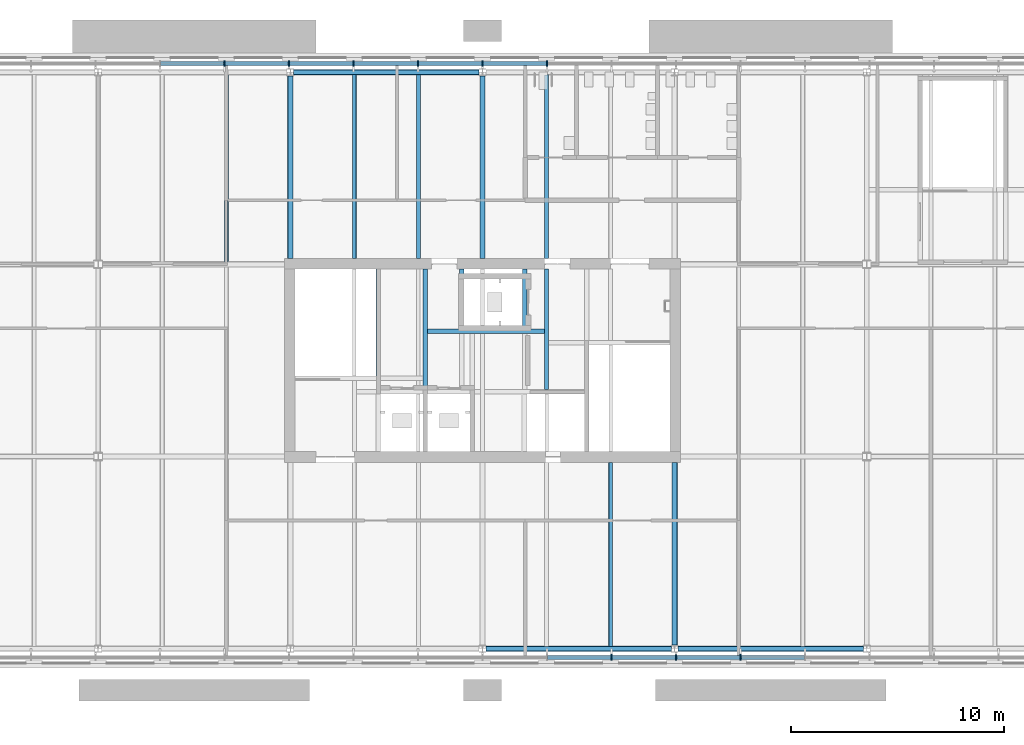
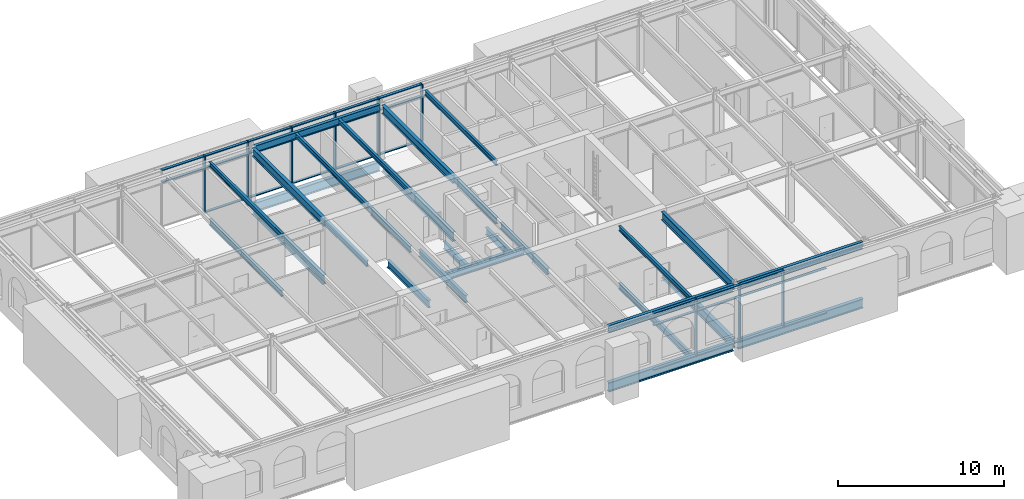
# One storey, part 6 of 24: 37 members, 28 beams, 2 elements without a shape of their own.
"""IFC4 building model written with IfcOpenShell, lengths in metres."""

from ifc_helpers import new_model, si_unit, direction, frame, origin, origin_2d, place, context, subcontext, project, spatial, rectangle, i_section, extrude, material, material_profile, profile_set, type_object, element, aggregate, save


model = new_model("IFC4")

# Units and contexts
model_context = context("Model", 3, precision=1e-05, world=origin(), true_north=direction((0.0, 1.0)))
body_context = subcontext(model_context, "Body", "Model", "MODEL_VIEW")
ifc_project = project(units=[si_unit("LENGTHUNIT", "METRE"), si_unit("AREAUNIT", "SQUARE_METRE"), si_unit("VOLUMEUNIT", "CUBIC_METRE"), si_unit("PLANEANGLEUNIT", "RADIAN"), si_unit("MASSUNIT", "GRAM", prefix="KILO")], contexts=[model_context])

# Site, building, storey
site_placement = place(None, origin())
site = spatial("IfcSite", under=ifc_project, at=site_placement, CompositionType="ELEMENT")
building_placement = place(site_placement, origin())
building = spatial("IfcBuilding", under=site, at=building_placement, Name="Baradari Gate Terminus", CompositionType="ELEMENT")
storey_placement = place(building_placement, frame((0.0, 0.0, 32.699951171875)))
storey = spatial("IfcBuildingStorey", under=building, at=storey_placement, Name="L07", CompositionType="ELEMENT", Elevation=32.699951171875)

# Beams
ifc_material_1 = material(Name="Steel S355", Category="steel")
ifc_material_profile_1 = material_profile(ifc_material_1, i_section(OverallWidth=0.19140625, OverallDepth=0.4599609375, WebThickness=0.010009765625, FlangeThickness=0.01611328125, FilletRadius=0.01025390625, at=origin_2d()), Name="UB 457x191x82")
ifc_profile_set_1 = profile_set([ifc_material_profile_1], Name="Steel S355")
beam_type_1 = type_object("IfcBeamType", Name="Core floor beam B23 UB 457x191x82", PredefinedType="BEAM", material=ifc_profile_set_1)
beam_1_placement = place(storey_placement, frame((39.0, 129.129638671875, -0.35986328125), z_axis=(0.0, 1.0, 0.0), x_axis=(-1.0, 0.0, 0.0)))
element("IfcBeam", 1, at=beam_1_placement, inside=storey, type_object=beam_type_1, Name="Core floor beam B23 39:129.13-134.775 L07", PredefinedType="BEAM", context=body_context, shape_type="SweptSolid", body=[
    extrude(i_section(OverallWidth=0.19140625, OverallDepth=0.4599609375, WebThickness=0.010009765625, FlangeThickness=0.01611328125, FilletRadius=0.01025390625, at=origin_2d()), origin(), (0.0, 0.0, 1.0), 5.645263671875),
])
ifc_material_2 = material(Name="Steel S355", Category="steel")
ifc_material_profile_2 = material_profile(ifc_material_2, i_section(OverallWidth=0.209228515625, OverallDepth=0.533203125, WebThickness=0.010009765625, FlangeThickness=0.015625, FilletRadius=0.0126953125, at=origin_2d()), Name="UB 533x210x92")
ifc_profile_set_2 = profile_set([ifc_material_profile_2], Name="Steel S355")
beam_type_2 = type_object("IfcBeamType", Name="Core floor trimmer beam B22 UB 533x210x92", PredefinedType="BEAM", material=ifc_profile_set_2)
beam_2_placement = place(storey_placement, frame((33.4296875, 131.875, -0.396484375), z_axis=(1.0, 0.0, 0.0), x_axis=(0.0, 1.0, 0.0)))
element("IfcBeam", 2, at=beam_2_placement, inside=storey, type_object=beam_type_2, Name="Core floor trimmer beam B22 131.875:33.43-38.904 L07", PredefinedType="BEAM", context=body_context, shape_type="SweptSolid", body=[
    extrude(i_section(OverallWidth=0.209228515625, OverallDepth=0.533203125, WebThickness=0.010009765625, FlangeThickness=0.015625, FilletRadius=0.0126953125, at=origin_2d()), origin(), (0.0, 0.0, 1.0), 5.474609375),
])
beam_3_placement = place(storey_placement, frame((33.324951171875, 129.129638671875, -0.396484375), z_axis=(0.0, 1.0, 0.0), x_axis=(-1.0, 0.0, 0.0)))
element("IfcBeam", 3, at=beam_3_placement, inside=storey, type_object=beam_type_2, Name="Core floor trimmer beam B22 33.325:129.13-134.775 L07", PredefinedType="BEAM", context=body_context, shape_type="SweptSolid", body=[
    extrude(i_section(OverallWidth=0.209228515625, OverallDepth=0.533203125, WebThickness=0.010009765625, FlangeThickness=0.015625, FilletRadius=0.0126953125, at=origin_2d()), origin(), (0.0, 0.0, 1.0), 5.645263671875),
])
beam_4_placement = place(storey_placement, frame((31.125, 129.77978515625, -0.396484375), z_axis=(0.0, 1.0, 0.0), x_axis=(-1.0, 0.0, 0.0)))
element("IfcBeam", 4, at=beam_4_placement, inside=storey, type_object=beam_type_2, Name="Core floor trimmer beam B22 31.125:129.78-134.775 L07", PredefinedType="BEAM", context=body_context, shape_type="SweptSolid", body=[
    extrude(i_section(OverallWidth=0.209228515625, OverallDepth=0.533203125, WebThickness=0.010009765625, FlangeThickness=0.015625, FilletRadius=0.0126953125, at=origin_2d()), origin(), (0.0, 0.0, 1.0), 4.9951171875),
])
for number, where, z_axis, x_axis, name in (
    (5, (35.02001953125, 131.9794921875, -0.396484375), (0.0, 1.0, 0.0), (-1.0, 0.0, 0.0), "Core floor trimmer beam B22 35.02:131.98-134.775 L07"),
    (6, (37.97802734375, 131.9794921875, -0.396484375), (0.0, 1.0, 0.0), (-1.0, 0.0, 0.0), "Core floor trimmer beam B22 37.978:131.98-134.775 L07"),
):
    element("IfcBeam", number, at=place(storey_placement, frame(where, z_axis=z_axis, x_axis=x_axis)), inside=storey, type_object=beam_type_2, Name=name, PredefinedType="BEAM", context=body_context, shape_type="SweptSolid", body=[
        extrude(i_section(OverallWidth=0.209228515625, OverallDepth=0.533203125, WebThickness=0.010009765625, FlangeThickness=0.015625, FilletRadius=0.0126953125, at=origin_2d()), origin(), (0.0, 0.0, 1.0), 2.79541015625),
    ])

# Curtain wall, members
ifc_material_3 = material(Name="Aluminium 6063-T6", Category="aluminium")
curtain_wall_type = type_object("IfcCurtainWallType", Name="Curtain wall CW-12 block arcade floors, L06-L07", PredefinedType="NOTDEFINED", material=ifc_material_3)
curtain_wall_1_placement = place(storey_placement, origin())
curtain_wall_1 = element("IfcCurtainWall", 7, at=curtain_wall_1_placement, inside=storey, type_object=curtain_wall_type, Name="Curtain wall CW-12 Operations block S face L07", PredefinedType="NOTDEFINED")
ifc_material_4 = material(Name="Aluminium 6063-T6", Category="aluminium")
ifc_material_profile_3 = material_profile(ifc_material_4, rectangle(XDim=0.27490234375, YDim=0.06494140625, at=origin_2d()), Name="CM-12 65X275")
ifc_profile_set_3 = profile_set([ifc_material_profile_3], Name="Aluminium 6063-T6")
member_type_1 = type_object("IfcMemberType", Name="Curtain wall mullion CM-12 65x275", PredefinedType="MULLION", material=ifc_profile_set_3)
member_1_placement = place(storey_placement, frame((42.04443359375, 116.592529296875, 0.0), z_axis=(0.0, 0.0, 1.0), x_axis=(0.0, 1.0, 0.0)))
member_1 = element("IfcMember", 8, at=member_1_placement, type_object=member_type_1, Name="CW-12 mullion 12", PredefinedType="MULLION", context=body_context, shape_type="SweptSolid", body=[
    extrude(rectangle(XDim=0.27490234375, YDim=0.06494140625, at=origin_2d()), origin(), (0.0, 0.0, 1.0), 4.199951171875),
])
member_2_placement = place(storey_placement, frame((45.066650390625, 116.592529296875, 0.0), z_axis=(0.0, 0.0, 1.0), x_axis=(0.0, 1.0, 0.0)))
member_2 = element("IfcMember", 9, at=member_2_placement, type_object=member_type_1, Name="CW-12 mullion 13", PredefinedType="MULLION", context=body_context, shape_type="SweptSolid", body=[
    extrude(rectangle(XDim=0.27490234375, YDim=0.06494140625, at=origin_2d()), origin(), (0.0, 0.0, 1.0), 4.199951171875),
])
member_3_placement = place(storey_placement, frame((48.0888671875, 116.592529296875, 0.0), z_axis=(0.0, 0.0, 1.0), x_axis=(0.0, 1.0, 0.0)))
member_3 = element("IfcMember", 10, at=member_3_placement, type_object=member_type_1, Name="CW-12 mullion 14", PredefinedType="MULLION", context=body_context, shape_type="SweptSolid", body=[
    extrude(rectangle(XDim=0.27490234375, YDim=0.06494140625, at=origin_2d()), origin(), (0.0, 0.0, 1.0), 4.199951171875),
])

curtain_wall_2_placement = place(storey_placement, origin())
curtain_wall_2 = element("IfcCurtainWall", 11, at=curtain_wall_2_placement, inside=storey, type_object=curtain_wall_type, Name="Curtain wall CW-12 Operations block N face L07", PredefinedType="NOTDEFINED")
member_4_placement = place(storey_placement, frame((39.022216796875, 144.407470703125, 0.0), z_axis=(0.0, 0.0, 1.0), x_axis=(0.0, -1.0, 0.0)))
member_4 = element("IfcMember", 12, at=member_4_placement, type_object=member_type_1, Name="CW-12 mullion 9", PredefinedType="MULLION", context=body_context, shape_type="SweptSolid", body=[
    extrude(rectangle(XDim=0.27490234375, YDim=0.06494140625, at=origin_2d()), origin(), (0.0, 0.0, 1.0), 4.199951171875),
])
member_5_placement = place(storey_placement, frame((36.0, 144.407470703125, 0.0), z_axis=(0.0, 0.0, 1.0), x_axis=(0.0, -1.0, 0.0)))
member_5 = element("IfcMember", 13, at=member_5_placement, type_object=member_type_1, Name="CW-12 mullion 10", PredefinedType="MULLION", context=body_context, shape_type="SweptSolid", body=[
    extrude(rectangle(XDim=0.27490234375, YDim=0.06494140625, at=origin_2d()), origin(), (0.0, 0.0, 1.0), 4.199951171875),
])
member_6_placement = place(storey_placement, frame((32.977783203125, 144.407470703125, 0.0), z_axis=(0.0, 0.0, 1.0), x_axis=(0.0, -1.0, 0.0)))
member_6 = element("IfcMember", 14, at=member_6_placement, type_object=member_type_1, Name="CW-12 mullion 11", PredefinedType="MULLION", context=body_context, shape_type="SweptSolid", body=[
    extrude(rectangle(XDim=0.27490234375, YDim=0.06494140625, at=origin_2d()), origin(), (0.0, 0.0, 1.0), 4.199951171875),
])
member_7_placement = place(storey_placement, frame((29.95556640625, 144.407470703125, 0.0), z_axis=(0.0, 0.0, 1.0), x_axis=(0.0, -1.0, 0.0)))
member_7 = element("IfcMember", 15, at=member_7_placement, type_object=member_type_1, Name="CW-12 mullion 12", PredefinedType="MULLION", context=body_context, shape_type="SweptSolid", body=[
    extrude(rectangle(XDim=0.27490234375, YDim=0.06494140625, at=origin_2d()), origin(), (0.0, 0.0, 1.0), 4.199951171875),
])
member_8_placement = place(storey_placement, frame((26.933349609375, 144.407470703125, 0.0), z_axis=(0.0, 0.0, 1.0), x_axis=(0.0, -1.0, 0.0)))
member_8 = element("IfcMember", 16, at=member_8_placement, type_object=member_type_1, Name="CW-12 mullion 13", PredefinedType="MULLION", context=body_context, shape_type="SweptSolid", body=[
    extrude(rectangle(XDim=0.27490234375, YDim=0.06494140625, at=origin_2d()), origin(), (0.0, 0.0, 1.0), 4.199951171875),
])
member_9_placement = place(storey_placement, frame((23.9111328125, 144.407470703125, 0.0), z_axis=(0.0, 0.0, 1.0), x_axis=(0.0, -1.0, 0.0)))
member_9 = element("IfcMember", 17, at=member_9_placement, type_object=member_type_1, Name="CW-12 mullion 14", PredefinedType="MULLION", context=body_context, shape_type="SweptSolid", body=[
    extrude(rectangle(XDim=0.27490234375, YDim=0.06494140625, at=origin_2d()), origin(), (0.0, 0.0, 1.0), 4.199951171875),
])

# Member
ifc_material_5 = material(Name="Aluminium 6063-T6", Category="aluminium")
ifc_material_profile_4 = material_profile(ifc_material_5, rectangle(XDim=0.18505859375, YDim=0.06494140625, at=origin_2d()), Name="CT-12 65X185")
ifc_profile_set_4 = profile_set([ifc_material_profile_4], Name="Aluminium 6063-T6")
member_type_2 = type_object("IfcMemberType", Name="Curtain wall transom CT-12 65x185", PredefinedType="USERDEFINED", material=ifc_profile_set_4)
member_10_placement = place(storey_placement, frame((39.0546875, 116.592529296875, 0.032470703125), z_axis=(1.0, 0.0, 0.0), x_axis=(0.0, 1.0, 0.0)))
member_10 = element("IfcMember", 18, at=member_10_placement, type_object=member_type_2, Name="CW-12 transom 11.1", ObjectType="TRANSOM", PredefinedType="USERDEFINED", context=body_context, shape_type="SweptSolid", body=[
    extrude(rectangle(XDim=0.18505859375, YDim=0.06494140625, at=origin_2d()), origin(), (0.0, 0.0, 1.0), 2.957275390625),
])

member_11_placement = place(storey_placement, frame((39.0546875, 116.592529296875, 3.300048828125), z_axis=(1.0, 0.0, 0.0), x_axis=(0.0, 1.0, 0.0)))
member_11 = element("IfcMember", 19, at=member_11_placement, type_object=member_type_2, Name="CW-12 transom 11.2", ObjectType="TRANSOM", PredefinedType="USERDEFINED", context=body_context, shape_type="SweptSolid", body=[
    extrude(rectangle(XDim=0.18505859375, YDim=0.06494140625, at=origin_2d()), origin(), (0.0, 0.0, 1.0), 2.957275390625),
])

member_12_placement = place(storey_placement, frame((39.0546875, 116.592529296875, 4.16748046875), z_axis=(1.0, 0.0, 0.0), x_axis=(0.0, 1.0, 0.0)))
member_12 = element("IfcMember", 20, at=member_12_placement, type_object=member_type_2, Name="CW-12 transom 11.3", ObjectType="TRANSOM", PredefinedType="USERDEFINED", context=body_context, shape_type="SweptSolid", body=[
    extrude(rectangle(XDim=0.18505859375, YDim=0.06494140625, at=origin_2d()), origin(), (0.0, 0.0, 1.0), 2.957275390625),
])

member_13_placement = place(storey_placement, frame((42.076904296875, 116.592529296875, 0.032470703125), z_axis=(1.0, 0.0, 0.0), x_axis=(0.0, 1.0, 0.0)))
member_13 = element("IfcMember", 21, at=member_13_placement, type_object=member_type_2, Name="CW-12 transom 12.1", ObjectType="TRANSOM", PredefinedType="USERDEFINED", context=body_context, shape_type="SweptSolid", body=[
    extrude(rectangle(XDim=0.18505859375, YDim=0.06494140625, at=origin_2d()), origin(), (0.0, 0.0, 1.0), 2.957275390625),
])

member_14_placement = place(storey_placement, frame((42.076904296875, 116.592529296875, 3.300048828125), z_axis=(1.0, 0.0, 0.0), x_axis=(0.0, 1.0, 0.0)))
member_14 = element("IfcMember", 22, at=member_14_placement, type_object=member_type_2, Name="CW-12 transom 12.2", ObjectType="TRANSOM", PredefinedType="USERDEFINED", context=body_context, shape_type="SweptSolid", body=[
    extrude(rectangle(XDim=0.18505859375, YDim=0.06494140625, at=origin_2d()), origin(), (0.0, 0.0, 1.0), 2.957275390625),
])

member_15_placement = place(storey_placement, frame((42.076904296875, 116.592529296875, 4.16748046875), z_axis=(1.0, 0.0, 0.0), x_axis=(0.0, 1.0, 0.0)))
member_15 = element("IfcMember", 23, at=member_15_placement, type_object=member_type_2, Name="CW-12 transom 12.3", ObjectType="TRANSOM", PredefinedType="USERDEFINED", context=body_context, shape_type="SweptSolid", body=[
    extrude(rectangle(XDim=0.18505859375, YDim=0.06494140625, at=origin_2d()), origin(), (0.0, 0.0, 1.0), 2.957275390625),
])

member_16_placement = place(storey_placement, frame((45.09912109375, 116.592529296875, 0.032470703125), z_axis=(1.0, 0.0, 0.0), x_axis=(0.0, 1.0, 0.0)))
member_16 = element("IfcMember", 24, at=member_16_placement, type_object=member_type_2, Name="CW-12 transom 13.1", ObjectType="TRANSOM", PredefinedType="USERDEFINED", context=body_context, shape_type="SweptSolid", body=[
    extrude(rectangle(XDim=0.18505859375, YDim=0.06494140625, at=origin_2d()), origin(), (0.0, 0.0, 1.0), 2.957275390625),
])

member_17_placement = place(storey_placement, frame((45.09912109375, 116.592529296875, 3.300048828125), z_axis=(1.0, 0.0, 0.0), x_axis=(0.0, 1.0, 0.0)))
member_17 = element("IfcMember", 25, at=member_17_placement, type_object=member_type_2, Name="CW-12 transom 13.2", ObjectType="TRANSOM", PredefinedType="USERDEFINED", context=body_context, shape_type="SweptSolid", body=[
    extrude(rectangle(XDim=0.18505859375, YDim=0.06494140625, at=origin_2d()), origin(), (0.0, 0.0, 1.0), 2.957275390625),
])

member_18_placement = place(storey_placement, frame((45.09912109375, 116.592529296875, 4.16748046875), z_axis=(1.0, 0.0, 0.0), x_axis=(0.0, 1.0, 0.0)))
member_18 = element("IfcMember", 26, at=member_18_placement, type_object=member_type_2, Name="CW-12 transom 13.3", ObjectType="TRANSOM", PredefinedType="USERDEFINED", context=body_context, shape_type="SweptSolid", body=[
    extrude(rectangle(XDim=0.18505859375, YDim=0.06494140625, at=origin_2d()), origin(), (0.0, 0.0, 1.0), 2.957275390625),
])

member_19_placement = place(storey_placement, frame((48.121337890625, 116.592529296875, 0.032470703125), z_axis=(1.0, 0.0, 0.0), x_axis=(0.0, 1.0, 0.0)))
member_19 = element("IfcMember", 27, at=member_19_placement, type_object=member_type_2, Name="CW-12 transom 14.1", ObjectType="TRANSOM", PredefinedType="USERDEFINED", context=body_context, shape_type="SweptSolid", body=[
    extrude(rectangle(XDim=0.18505859375, YDim=0.06494140625, at=origin_2d()), origin(), (0.0, 0.0, 1.0), 2.957275390625),
])

member_20_placement = place(storey_placement, frame((48.121337890625, 116.592529296875, 3.300048828125), z_axis=(1.0, 0.0, 0.0), x_axis=(0.0, 1.0, 0.0)))
member_20 = element("IfcMember", 28, at=member_20_placement, type_object=member_type_2, Name="CW-12 transom 14.2", ObjectType="TRANSOM", PredefinedType="USERDEFINED", context=body_context, shape_type="SweptSolid", body=[
    extrude(rectangle(XDim=0.18505859375, YDim=0.06494140625, at=origin_2d()), origin(), (0.0, 0.0, 1.0), 2.957275390625),
])

aggregate(curtain_wall_1, [member_1, member_2, member_3, member_10, member_11, member_12, member_13, member_14, member_15, member_16, member_17, member_18, member_19, member_20])

member_21_placement = place(storey_placement, frame((38.98974609375, 144.407470703125, 0.032470703125), z_axis=(-1.0, 0.0, 0.0), x_axis=(0.0, -1.0, 0.0)))
member_21 = element("IfcMember", 29, at=member_21_placement, type_object=member_type_2, Name="CW-12 transom 9.1", ObjectType="TRANSOM", PredefinedType="USERDEFINED", context=body_context, shape_type="SweptSolid", body=[
    extrude(rectangle(XDim=0.18505859375, YDim=0.06494140625, at=origin_2d()), origin(), (0.0, 0.0, 1.0), 2.957275390625),
])

member_22_placement = place(storey_placement, frame((38.98974609375, 144.407470703125, 3.300048828125), z_axis=(-1.0, 0.0, 0.0), x_axis=(0.0, -1.0, 0.0)))
member_22 = element("IfcMember", 30, at=member_22_placement, type_object=member_type_2, Name="CW-12 transom 9.2", ObjectType="TRANSOM", PredefinedType="USERDEFINED", context=body_context, shape_type="SweptSolid", body=[
    extrude(rectangle(XDim=0.18505859375, YDim=0.06494140625, at=origin_2d()), origin(), (0.0, 0.0, 1.0), 2.957275390625),
])

member_23_placement = place(storey_placement, frame((38.98974609375, 144.407470703125, 4.16748046875), z_axis=(-1.0, 0.0, 0.0), x_axis=(0.0, -1.0, 0.0)))
member_23 = element("IfcMember", 31, at=member_23_placement, type_object=member_type_2, Name="CW-12 transom 9.3", ObjectType="TRANSOM", PredefinedType="USERDEFINED", context=body_context, shape_type="SweptSolid", body=[
    extrude(rectangle(XDim=0.18505859375, YDim=0.06494140625, at=origin_2d()), origin(), (0.0, 0.0, 1.0), 2.957275390625),
])

member_24_placement = place(storey_placement, frame((35.967529296875, 144.407470703125, 0.032470703125), z_axis=(-1.0, 0.0, 0.0), x_axis=(0.0, -1.0, 0.0)))
member_24 = element("IfcMember", 32, at=member_24_placement, type_object=member_type_2, Name="CW-12 transom 10.1", ObjectType="TRANSOM", PredefinedType="USERDEFINED", context=body_context, shape_type="SweptSolid", body=[
    extrude(rectangle(XDim=0.18505859375, YDim=0.06494140625, at=origin_2d()), origin(), (0.0, 0.0, 1.0), 2.957275390625),
])

member_25_placement = place(storey_placement, frame((35.967529296875, 144.407470703125, 3.300048828125), z_axis=(-1.0, 0.0, 0.0), x_axis=(0.0, -1.0, 0.0)))
member_25 = element("IfcMember", 33, at=member_25_placement, type_object=member_type_2, Name="CW-12 transom 10.2", ObjectType="TRANSOM", PredefinedType="USERDEFINED", context=body_context, shape_type="SweptSolid", body=[
    extrude(rectangle(XDim=0.18505859375, YDim=0.06494140625, at=origin_2d()), origin(), (0.0, 0.0, 1.0), 2.957275390625),
])

member_26_placement = place(storey_placement, frame((35.967529296875, 144.407470703125, 4.16748046875), z_axis=(-1.0, 0.0, 0.0), x_axis=(0.0, -1.0, 0.0)))
member_26 = element("IfcMember", 34, at=member_26_placement, type_object=member_type_2, Name="CW-12 transom 10.3", ObjectType="TRANSOM", PredefinedType="USERDEFINED", context=body_context, shape_type="SweptSolid", body=[
    extrude(rectangle(XDim=0.18505859375, YDim=0.06494140625, at=origin_2d()), origin(), (0.0, 0.0, 1.0), 2.957275390625),
])

member_27_placement = place(storey_placement, frame((32.9453125, 144.407470703125, 0.032470703125), z_axis=(-1.0, 0.0, 0.0), x_axis=(0.0, -1.0, 0.0)))
member_27 = element("IfcMember", 35, at=member_27_placement, type_object=member_type_2, Name="CW-12 transom 11.1", ObjectType="TRANSOM", PredefinedType="USERDEFINED", context=body_context, shape_type="SweptSolid", body=[
    extrude(rectangle(XDim=0.18505859375, YDim=0.06494140625, at=origin_2d()), origin(), (0.0, 0.0, 1.0), 2.957275390625),
])

member_28_placement = place(storey_placement, frame((32.9453125, 144.407470703125, 3.300048828125), z_axis=(-1.0, 0.0, 0.0), x_axis=(0.0, -1.0, 0.0)))
member_28 = element("IfcMember", 36, at=member_28_placement, type_object=member_type_2, Name="CW-12 transom 11.2", ObjectType="TRANSOM", PredefinedType="USERDEFINED", context=body_context, shape_type="SweptSolid", body=[
    extrude(rectangle(XDim=0.18505859375, YDim=0.06494140625, at=origin_2d()), origin(), (0.0, 0.0, 1.0), 2.957275390625),
])

member_29_placement = place(storey_placement, frame((32.9453125, 144.407470703125, 4.16748046875), z_axis=(-1.0, 0.0, 0.0), x_axis=(0.0, -1.0, 0.0)))
member_29 = element("IfcMember", 37, at=member_29_placement, type_object=member_type_2, Name="CW-12 transom 11.3", ObjectType="TRANSOM", PredefinedType="USERDEFINED", context=body_context, shape_type="SweptSolid", body=[
    extrude(rectangle(XDim=0.18505859375, YDim=0.06494140625, at=origin_2d()), origin(), (0.0, 0.0, 1.0), 2.957275390625),
])

member_30_placement = place(storey_placement, frame((29.923095703125, 144.407470703125, 0.032470703125), z_axis=(-1.0, 0.0, 0.0), x_axis=(0.0, -1.0, 0.0)))
member_30 = element("IfcMember", 38, at=member_30_placement, type_object=member_type_2, Name="CW-12 transom 12.1", ObjectType="TRANSOM", PredefinedType="USERDEFINED", context=body_context, shape_type="SweptSolid", body=[
    extrude(rectangle(XDim=0.18505859375, YDim=0.06494140625, at=origin_2d()), origin(), (0.0, 0.0, 1.0), 2.957275390625),
])

member_31_placement = place(storey_placement, frame((29.923095703125, 144.407470703125, 3.300048828125), z_axis=(-1.0, 0.0, 0.0), x_axis=(0.0, -1.0, 0.0)))
member_31 = element("IfcMember", 39, at=member_31_placement, type_object=member_type_2, Name="CW-12 transom 12.2", ObjectType="TRANSOM", PredefinedType="USERDEFINED", context=body_context, shape_type="SweptSolid", body=[
    extrude(rectangle(XDim=0.18505859375, YDim=0.06494140625, at=origin_2d()), origin(), (0.0, 0.0, 1.0), 2.957275390625),
])

member_32_placement = place(storey_placement, frame((29.923095703125, 144.407470703125, 4.16748046875), z_axis=(-1.0, 0.0, 0.0), x_axis=(0.0, -1.0, 0.0)))
member_32 = element("IfcMember", 40, at=member_32_placement, type_object=member_type_2, Name="CW-12 transom 12.3", ObjectType="TRANSOM", PredefinedType="USERDEFINED", context=body_context, shape_type="SweptSolid", body=[
    extrude(rectangle(XDim=0.18505859375, YDim=0.06494140625, at=origin_2d()), origin(), (0.0, 0.0, 1.0), 2.957275390625),
])

member_33_placement = place(storey_placement, frame((26.90087890625, 144.407470703125, 0.032470703125), z_axis=(-1.0, 0.0, 0.0), x_axis=(0.0, -1.0, 0.0)))
member_33 = element("IfcMember", 41, at=member_33_placement, type_object=member_type_2, Name="CW-12 transom 13.1", ObjectType="TRANSOM", PredefinedType="USERDEFINED", context=body_context, shape_type="SweptSolid", body=[
    extrude(rectangle(XDim=0.18505859375, YDim=0.06494140625, at=origin_2d()), origin(), (0.0, 0.0, 1.0), 2.957275390625),
])

member_34_placement = place(storey_placement, frame((26.90087890625, 144.407470703125, 3.300048828125), z_axis=(-1.0, 0.0, 0.0), x_axis=(0.0, -1.0, 0.0)))
member_34 = element("IfcMember", 42, at=member_34_placement, type_object=member_type_2, Name="CW-12 transom 13.2", ObjectType="TRANSOM", PredefinedType="USERDEFINED", context=body_context, shape_type="SweptSolid", body=[
    extrude(rectangle(XDim=0.18505859375, YDim=0.06494140625, at=origin_2d()), origin(), (0.0, 0.0, 1.0), 2.957275390625),
])

member_35_placement = place(storey_placement, frame((26.90087890625, 144.407470703125, 4.16748046875), z_axis=(-1.0, 0.0, 0.0), x_axis=(0.0, -1.0, 0.0)))
member_35 = element("IfcMember", 43, at=member_35_placement, type_object=member_type_2, Name="CW-12 transom 13.3", ObjectType="TRANSOM", PredefinedType="USERDEFINED", context=body_context, shape_type="SweptSolid", body=[
    extrude(rectangle(XDim=0.18505859375, YDim=0.06494140625, at=origin_2d()), origin(), (0.0, 0.0, 1.0), 2.957275390625),
])

member_36_placement = place(storey_placement, frame((23.878662109375, 144.407470703125, 3.300048828125), z_axis=(-1.0, 0.0, 0.0), x_axis=(0.0, -1.0, 0.0)))
member_36 = element("IfcMember", 44, at=member_36_placement, type_object=member_type_2, Name="CW-12 transom 14.2", ObjectType="TRANSOM", PredefinedType="USERDEFINED", context=body_context, shape_type="SweptSolid", body=[
    extrude(rectangle(XDim=0.18505859375, YDim=0.06494140625, at=origin_2d()), origin(), (0.0, 0.0, 1.0), 2.957275390625),
])

member_37_placement = place(storey_placement, frame((23.878662109375, 144.407470703125, 4.16748046875), z_axis=(-1.0, 0.0, 0.0), x_axis=(0.0, -1.0, 0.0)))
member_37 = element("IfcMember", 45, at=member_37_placement, type_object=member_type_2, Name="CW-12 transom 14.3", ObjectType="TRANSOM", PredefinedType="USERDEFINED", context=body_context, shape_type="SweptSolid", body=[
    extrude(rectangle(XDim=0.18505859375, YDim=0.06494140625, at=origin_2d()), origin(), (0.0, 0.0, 1.0), 2.957275390625),
])

aggregate(curtain_wall_2, [member_4, member_5, member_6, member_7, member_8, member_9, member_21, member_22, member_23, member_24, member_25, member_26, member_27, member_28, member_29, member_30, member_31, member_32, member_33, member_34, member_35, member_36, member_37])

# Beams
ifc_material_6 = material(Name="Steel S355", Category="steel")
ifc_material_profile_5 = material_profile(ifc_material_6, i_section(OverallWidth=0.25439453125, OverallDepth=0.6875, WebThickness=0.01318359375, FlangeThickness=0.02099609375, FilletRadius=0.01513671875, at=origin_2d()), Name="UB 686x254x152")
ifc_profile_set_5 = profile_set([ifc_material_profile_5], Name="Steel S355")
beam_type_3 = type_object("IfcBeamType", Name="Operations block coupling beam B26 UB 686x254x152", PredefinedType="BEAM", material=ifc_profile_set_5)
for number, where, z_axis, x_axis, name in (
    (46, (27.0, 135.27490234375, -0.4736328125), (0.0, 1.0, 0.0), (-1.0, 0.0, 0.0), "Operations block coupling beam B26 4:135.275-143.83 L07"),
    (47, (36.0, 135.27490234375, -0.4736328125), (0.0, 1.0, 0.0), (-1.0, 0.0, 0.0), "Operations block coupling beam B26 5:135.275-143.83 L07"),
    (48, (45.0, 117.169921875, -0.4736328125), (0.0, 1.0, 0.0), (-1.0, 0.0, 0.0), "Operations block coupling beam B26 6:117.17-125.725 L07"),
):
    element("IfcBeam", number, at=place(storey_placement, frame(where, z_axis=z_axis, x_axis=x_axis)), inside=storey, type_object=beam_type_3, Name=name, PredefinedType="BEAM", context=body_context, shape_type="SweptSolid", body=[
        extrude(i_section(OverallWidth=0.25439453125, OverallDepth=0.6875, WebThickness=0.01318359375, FlangeThickness=0.02099609375, FilletRadius=0.01513671875, at=origin_2d()), origin(), (0.0, 0.0, 1.0), 8.55517578125),
    ])
ifc_material_7 = material(Name="Steel S355", Category="steel")
ifc_material_profile_6 = material_profile(ifc_material_7, i_section(OverallWidth=0.25439453125, OverallDepth=0.6875, WebThickness=0.01318359375, FlangeThickness=0.02099609375, FilletRadius=0.01513671875, at=origin_2d()), Name="UB 686x254x152")
ifc_profile_set_6 = profile_set([ifc_material_profile_6], Name="Steel S355")
beam_type_4 = type_object("IfcBeamType", Name="Operations block moment frame beam B32 UB 686x254x152", PredefinedType="BEAM", material=ifc_profile_set_6)
for number, where, z_axis, x_axis, name in (
    (49, (36.1572265625, 117.0, -0.4736328125), (1.0, 0.0, 0.0), (0.0, 1.0, 0.0), "Operations block moment frame beam B32 P:36.157-44.843 L07"),
    (50, (45.1572265625, 117.0, -0.4736328125), (1.0, 0.0, 0.0), (0.0, 1.0, 0.0), "Operations block moment frame beam B32 P:45.157-53.843 L07"),
    (51, (27.1572265625, 144.0, -0.4736328125), (1.0, 0.0, 0.0), (0.0, 1.0, 0.0), "Operations block moment frame beam B32 S:27.157-35.843 L07"),
):
    element("IfcBeam", number, at=place(storey_placement, frame(where, z_axis=z_axis, x_axis=x_axis)), inside=storey, type_object=beam_type_4, Name=name, PredefinedType="BEAM", context=body_context, shape_type="SweptSolid", body=[
        extrude(i_section(OverallWidth=0.25439453125, OverallDepth=0.6875, WebThickness=0.01318359375, FlangeThickness=0.02099609375, FilletRadius=0.01513671875, at=origin_2d()), origin(), (0.0, 0.0, 1.0), 8.685546875),
    ])
ifc_material_8 = material(Name="Steel S355", Category="steel")
ifc_material_profile_7 = material_profile(ifc_material_8, i_section(OverallWidth=0.2275390625, OverallDepth=0.6025390625, WebThickness=0.010498046875, FlangeThickness=0.014892578125, FilletRadius=0.0126953125, at=origin_2d()), Name="UB 610x229x101")
ifc_profile_set_7 = profile_set([ifc_material_profile_7], Name="Steel S355")
beam_type_5 = type_object("IfcBeamType", Name="Operations block roof coupling beam B45 UB 610x229x101", PredefinedType="BEAM", material=ifc_profile_set_7)
for number, where, z_axis, x_axis, name in (
    (52, (27.0, 135.27490234375, 3.748779296875), (0.0, 1.0, 0.0), (-1.0, 0.0, 0.0), "Operations block roof coupling beam B45 4:135.275-143.83 L07"),
    (53, (36.0, 135.27490234375, 3.748779296875), (0.0, 1.0, 0.0), (-1.0, 0.0, 0.0), "Operations block roof coupling beam B45 5:135.275-143.83 L07"),
    (54, (45.0, 117.169921875, 3.748779296875), (0.0, 1.0, 0.0), (-1.0, 0.0, 0.0), "Operations block roof coupling beam B45 6:117.17-125.725 L07"),
):
    element("IfcBeam", number, at=place(storey_placement, frame(where, z_axis=z_axis, x_axis=x_axis)), inside=storey, type_object=beam_type_5, Name=name, PredefinedType="BEAM", context=body_context, shape_type="SweptSolid", body=[
        extrude(i_section(OverallWidth=0.2275390625, OverallDepth=0.6025390625, WebThickness=0.010498046875, FlangeThickness=0.014892578125, FilletRadius=0.0126953125, at=origin_2d()), origin(), (0.0, 0.0, 1.0), 8.55517578125),
    ])
ifc_material_9 = material(Name="Steel S355", Category="steel")
ifc_material_profile_8 = material_profile(ifc_material_9, i_section(OverallWidth=0.209228515625, OverallDepth=0.533203125, WebThickness=0.010009765625, FlangeThickness=0.015625, FilletRadius=0.0126953125, at=origin_2d()), Name="UB 533x210x92")
ifc_profile_set_8 = profile_set([ifc_material_profile_8], Name="Steel S355")
beam_type_6 = type_object("IfcBeamType", Name="Operations block roof edge beam B43 UB 533x210x92", PredefinedType="BEAM", material=ifc_profile_set_8)
for number, where, z_axis, x_axis, name in (
    (55, (36.1572265625, 117.0, 3.783447265625), (1.0, 0.0, 0.0), (0.0, 1.0, 0.0), "Operations block roof edge beam B43 P:36.157-44.843 L07"),
    (56, (45.1572265625, 117.0, 3.783447265625), (1.0, 0.0, 0.0), (0.0, 1.0, 0.0), "Operations block roof edge beam B43 P:45.157-53.843 L07"),
    (57, (27.1572265625, 144.0, 3.783447265625), (1.0, 0.0, 0.0), (0.0, 1.0, 0.0), "Operations block roof edge beam B43 S:27.157-35.843 L07"),
):
    element("IfcBeam", number, at=place(storey_placement, frame(where, z_axis=z_axis, x_axis=x_axis)), inside=storey, type_object=beam_type_6, Name=name, PredefinedType="BEAM", context=body_context, shape_type="SweptSolid", body=[
        extrude(i_section(OverallWidth=0.209228515625, OverallDepth=0.533203125, WebThickness=0.010009765625, FlangeThickness=0.015625, FilletRadius=0.0126953125, at=origin_2d()), origin(), (0.0, 0.0, 1.0), 8.685546875),
    ])
ifc_material_10 = material(Name="Steel S355", Category="steel")
ifc_material_profile_9 = material_profile(ifc_material_10, i_section(OverallWidth=0.17138671875, OverallDepth=0.35498046875, WebThickness=0.00732421875, FlangeThickness=0.011474609375, FilletRadius=0.01025390625, at=origin_2d()), Name="UB 356x171x51")
ifc_profile_set_9 = profile_set([ifc_material_profile_9], Name="Steel S355")
beam_type_7 = type_object("IfcBeamType", Name="Operations block roof secondary beam B46 UB 356x171x51", PredefinedType="BEAM", material=ifc_profile_set_9)
beam_5_placement = place(storey_placement, frame((24.0, 135.11376953125, 3.87255859375), z_axis=(0.0, 1.0, 0.0), x_axis=(-1.0, 0.0, 0.0)))
element("IfcBeam", 58, at=beam_5_placement, inside=storey, type_object=beam_type_7, Name="Operations block roof secondary beam B46 24:135.114-143.895 L07", PredefinedType="BEAM", context=body_context, shape_type="SweptSolid", body=[
    extrude(i_section(OverallWidth=0.17138671875, OverallDepth=0.35498046875, WebThickness=0.00732421875, FlangeThickness=0.011474609375, FilletRadius=0.01025390625, at=origin_2d()), origin(), (0.0, 0.0, 1.0), 8.78173828125),
])
for number, where, z_axis, x_axis, name in (
    (59, (30.0, 135.27490234375, 3.87255859375), (0.0, 1.0, 0.0), (-1.0, 0.0, 0.0), "Operations block roof secondary beam B46 30:135.275-143.895 L07"),
    (60, (33.0, 135.27490234375, 3.87255859375), (0.0, 1.0, 0.0), (-1.0, 0.0, 0.0), "Operations block roof secondary beam B46 33:135.275-143.895 L07"),
    (61, (39.0, 135.27490234375, 3.87255859375), (0.0, 1.0, 0.0), (-1.0, 0.0, 0.0), "Operations block roof secondary beam B46 39:135.275-143.895 L07"),
):
    element("IfcBeam", number, at=place(storey_placement, frame(where, z_axis=z_axis, x_axis=x_axis)), inside=storey, type_object=beam_type_7, Name=name, PredefinedType="BEAM", context=body_context, shape_type="SweptSolid", body=[
        extrude(i_section(OverallWidth=0.17138671875, OverallDepth=0.35498046875, WebThickness=0.00732421875, FlangeThickness=0.011474609375, FilletRadius=0.01025390625, at=origin_2d()), origin(), (0.0, 0.0, 1.0), 8.62060546875),
    ])
beam_6_placement = place(storey_placement, frame((42.0, 117.104736328125, 3.87255859375), z_axis=(0.0, 1.0, 0.0), x_axis=(-1.0, 0.0, 0.0)))
element("IfcBeam", 62, at=beam_6_placement, inside=storey, type_object=beam_type_7, Name="Operations block roof secondary beam B46 42:117.105-125.725 L07", PredefinedType="BEAM", context=body_context, shape_type="SweptSolid", body=[
    extrude(i_section(OverallWidth=0.17138671875, OverallDepth=0.35498046875, WebThickness=0.00732421875, FlangeThickness=0.011474609375, FilletRadius=0.01025390625, at=origin_2d()), origin(), (0.0, 0.0, 1.0), 8.620361328125),
])
ifc_material_11 = material(Name="Steel S355", Category="steel")
ifc_material_profile_10 = material_profile(ifc_material_11, i_section(OverallWidth=0.18994140625, OverallDepth=0.453369140625, WebThickness=0.008544921875, FlangeThickness=0.0126953125, FilletRadius=0.01025390625, at=origin_2d()), Name="UB 457x191x67")
ifc_profile_set_10 = profile_set([ifc_material_profile_10], Name="Steel S355")
beam_type_8 = type_object("IfcBeamType", Name="Operations block secondary beam B28 UB 457x191x67", PredefinedType="BEAM", material=ifc_profile_set_10)
beam_7_placement = place(storey_placement, frame((24.0, 135.127197265625, -0.356689453125), z_axis=(0.0, 1.0, 0.0), x_axis=(-1.0, 0.0, 0.0)))
element("IfcBeam", 63, at=beam_7_placement, inside=storey, type_object=beam_type_8, Name="Operations block secondary beam B28 24:135.127-143.873 L07", PredefinedType="BEAM", context=body_context, shape_type="SweptSolid", body=[
    extrude(i_section(OverallWidth=0.18994140625, OverallDepth=0.453369140625, WebThickness=0.008544921875, FlangeThickness=0.0126953125, FilletRadius=0.01025390625, at=origin_2d()), origin(), (0.0, 0.0, 1.0), 8.74560546875),
])
for number, where, z_axis, x_axis, name in (
    (64, (30.0, 135.27490234375, -0.356689453125), (0.0, 1.0, 0.0), (-1.0, 0.0, 0.0), "Operations block secondary beam B28 30:135.275-143.873 L07"),
    (65, (33.0, 135.27490234375, -0.356689453125), (0.0, 1.0, 0.0), (-1.0, 0.0, 0.0), "Operations block secondary beam B28 33:135.275-143.873 L07"),
    (66, (39.0, 135.27490234375, -0.356689453125), (0.0, 1.0, 0.0), (-1.0, 0.0, 0.0), "Operations block secondary beam B28 39:135.275-143.873 L07"),
    (67, (42.0, 117.127197265625, -0.356689453125), (0.0, 1.0, 0.0), (-1.0, 0.0, 0.0), "Operations block secondary beam B28 42:117.127-125.725 L07"),
):
    element("IfcBeam", number, at=place(storey_placement, frame(where, z_axis=z_axis, x_axis=x_axis)), inside=storey, type_object=beam_type_8, Name=name, PredefinedType="BEAM", context=body_context, shape_type="SweptSolid", body=[
        extrude(i_section(OverallWidth=0.18994140625, OverallDepth=0.453369140625, WebThickness=0.008544921875, FlangeThickness=0.0126953125, FilletRadius=0.01025390625, at=origin_2d()), origin(), (0.0, 0.0, 1.0), 8.597900390625),
    ])

save(model, "model.ifc")
